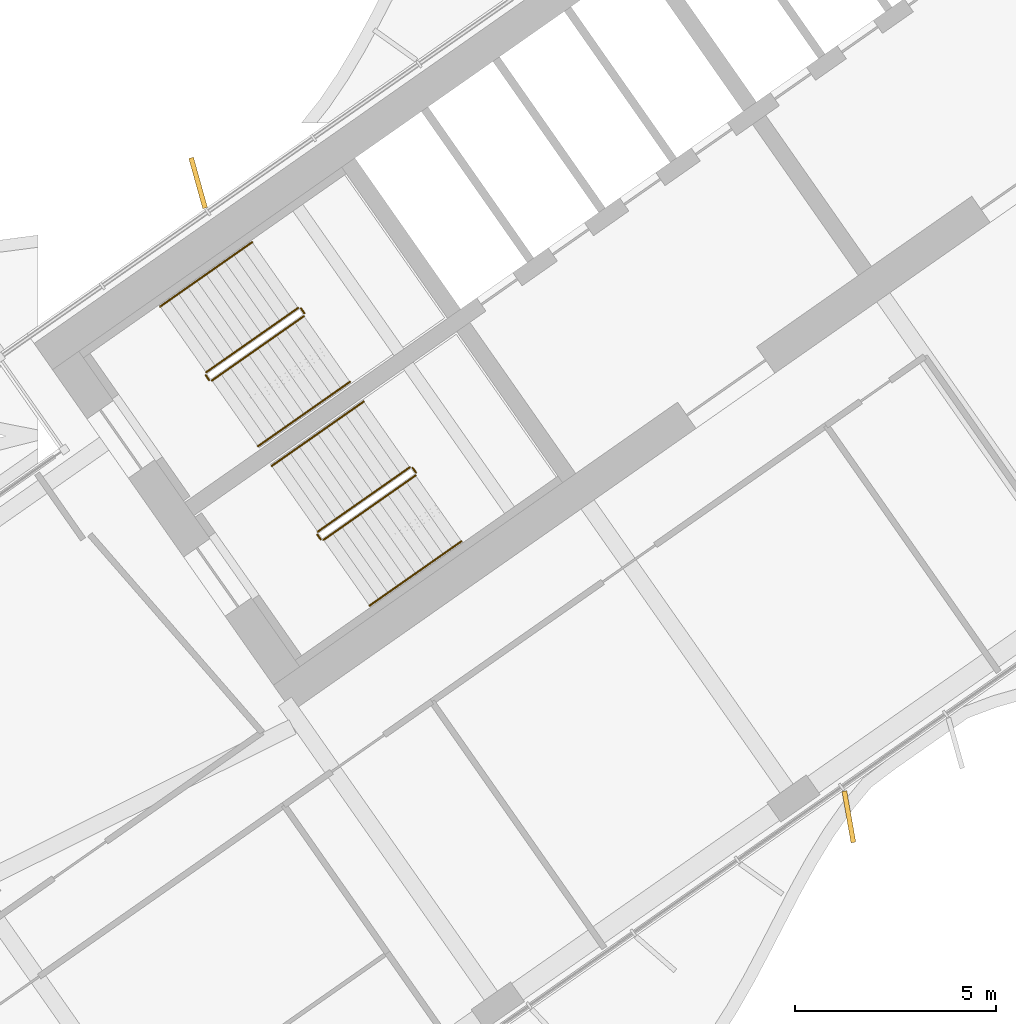
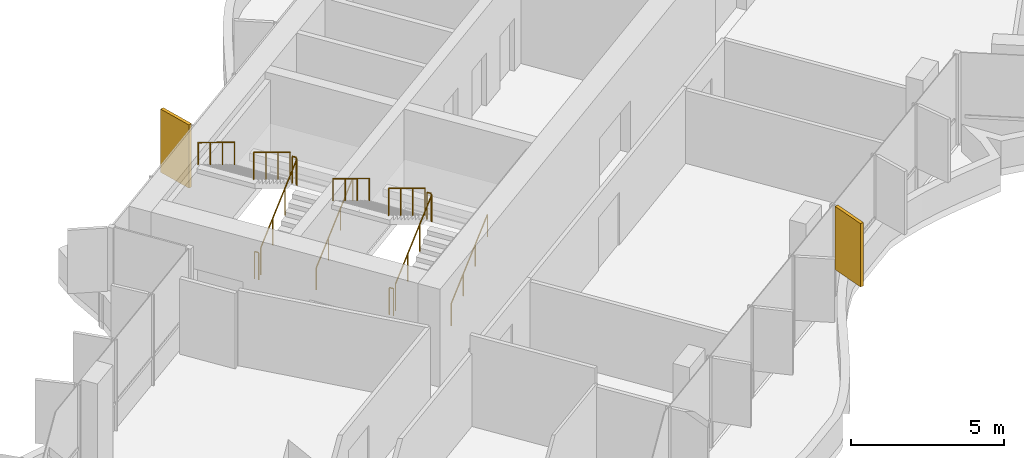
# One storey, part 18 of 21: 12 railings, 2 shading devices.
"""IFC4 building model written with IfcOpenShell, lengths in metres."""

from ifc_helpers import new_model, si_unit, direction, frame, origin, origin_2d, place, context, subcontext, project, spatial, rectangle, circle, extrude, material, layer, layer_set, type_object, element, save


model = new_model("IFC4")

# Units and contexts
model_context = context("Model", 3, precision=1e-05, world=origin(), true_north=direction((0.0, 1.0)))
body_context = subcontext(model_context, "Body", "Model", "MODEL_VIEW")
ifc_project = project(units=[si_unit("LENGTHUNIT", "METRE"), si_unit("AREAUNIT", "SQUARE_METRE"), si_unit("VOLUMEUNIT", "CUBIC_METRE"), si_unit("PLANEANGLEUNIT", "RADIAN"), si_unit("MASSUNIT", "GRAM", prefix="KILO")], contexts=[model_context])

# Site, building, storey
site_placement = place(None, origin())
site = spatial("IfcSite", under=ifc_project, at=site_placement, CompositionType="ELEMENT")
building_placement = place(site_placement, origin())
building = spatial("IfcBuilding", under=site, at=building_placement, Name="Tel Ilan Convention Tower", CompositionType="ELEMENT")
storey_placement = place(building_placement, frame((0.0, 0.0, 155.39990234375)))
storey = spatial("IfcBuildingStorey", under=building, at=storey_placement, Name="L35", CompositionType="ELEMENT", Elevation=155.39990234375)

# Shading devices
ifc_material_1 = material(Name="Aluminium, bronze anodised", Category="aluminium")
ifc_layer = layer(ifc_material_1, 0.1201171875)
ifc_layer_set = layer_set([ifc_layer], Name="FIN BRONZE 1300x120")
shading_device_type = type_object("IfcShadingDeviceType", Name="FIN BRONZE 1300x120", PredefinedType="USERDEFINED", material=ifc_layer_set)
for number, where, z_axis, x_axis, name in (
    (1, (-23.879150390625, -3.130126953125, 1.10009765625), (0.0, 0.0, 1.0), (-0.268172612768, 0.963370878614, 0.0), "FIN"),
    (2, (-7.657958984375, -18.929931640625, 1.10009765625), (0.0, 0.0, 1.0), (0.173648177667, -0.984807753012, 0.0), "FIN"),
):
    element("IfcShadingDevice", number, at=place(storey_placement, frame(where, z_axis=z_axis, x_axis=x_axis)), inside=storey, type_object=shading_device_type, Name=name, ObjectType="FIN", PredefinedType="USERDEFINED", context=body_context, shape_type="SweptSolid", body=[
        extrude(rectangle(XDim=1.300048828125, YDim=0.1201171875, at=origin_2d()), origin(), (0.0, 0.0, 1.0), 2.52001953125),
    ])

# Railings
ifc_material_2 = material(Name="Stainless Steel Grade 316", Category="steel")
railing_type_1 = type_object("IfcRailingType", Name="Stainless Steel Stair Guard 1100 mm", PredefinedType="GUARDRAIL", material=ifc_material_2)
railing_1_placement = place(storey_placement, frame((-23.535400390625, -8.056396484375, 0.177490234375)))
element("IfcRailing", 3, at=railing_1_placement, inside=storey, type_object=railing_type_1, Name="L35 S1 stair guard 1", PredefinedType="GUARDRAIL", context=body_context, shape_type="SweptSolid", body=[
    extrude(circle(Radius=0.02392578125, at=origin_2d()), frame((0.0, 0.0, 1.076171875), z_axis=(0.692098378994, 0.484653031975, 0.534893701956), x_axis=(-0.573608623498, 0.819129505664, 0.0)), (0.0, 0.0, 1.0), 3.314208984375),
    extrude(circle(Radius=0.02099609375, at=origin_2d()), origin(), (0.0, 0.0, 1.0), 1.052001953125),
    extrude(circle(Radius=0.02099609375, at=origin_2d()), frame((0.7646484375, 0.535400390625, 0.5908203125)), (0.0, 0.0, 1.0), 1.052001953125),
    extrude(circle(Radius=0.02099609375, at=origin_2d()), frame((1.529052734375, 1.07080078125, 1.181884765625)), (0.0, 0.0, 1.0), 1.052001953125),
    extrude(circle(Radius=0.02099609375, at=origin_2d()), frame((2.293701171875, 1.606201171875, 1.772705078125)), (0.0, 0.0, 1.0), 1.052001953125),
])
railing_2_placement = place(storey_placement, frame((-21.2294921875, -6.380615234375, 1.9501953125)))
element("IfcRailing", 4, at=railing_2_placement, inside=storey, type_object=railing_type_1, Name="L35 S1 stair guard 2", PredefinedType="GUARDRAIL", context=body_context, shape_type="SweptSolid", body=[
    extrude(circle(Radius=0.02392578125, at=origin_2d()), frame((0.0, 0.0, 1.076171875), z_axis=(-0.573353020881, 0.819308436089, 0.0), x_axis=(-0.819308436089, -0.573353020881, 0.0)), (0.0, 0.0, 1.0), 0.14990234375),
    extrude(circle(Radius=0.02099609375, at=origin_2d()), origin(), (0.0, 0.0, 1.0), 1.052001953125),
    extrude(circle(Radius=0.02099609375, at=origin_2d()), frame((-0.0859375, 0.122802734375, 0.0)), (0.0, 0.0, 1.0), 1.052001953125),
])
railing_3_placement = place(storey_placement, frame((-21.38525390625, -6.24560546875, 2.12744140625)))
element("IfcRailing", 5, at=railing_3_placement, inside=storey, type_object=railing_type_1, Name="L35 S1 stair guard 3", PredefinedType="GUARDRAIL", context=body_context, shape_type="SweptSolid", body=[
    extrude(circle(Radius=0.02392578125, at=origin_2d()), frame((0.0, 0.0, 1.076171875), z_axis=(-0.692084706163, -0.484621375041, 0.534940073605), x_axis=(0.573591086599, -0.819141785879, 0.0)), (0.0, 0.0, 1.0), 3.313720703125),
    extrude(circle(Radius=0.02099609375, at=origin_2d()), origin(), (0.0, 0.0, 1.0), 1.052001953125),
    extrude(circle(Radius=0.02099609375, at=origin_2d()), frame((-0.764404296875, -0.535400390625, 0.5908203125)), (0.0, 0.0, 1.0), 1.052001953125),
    extrude(circle(Radius=0.02099609375, at=origin_2d()), frame((-1.529052734375, -1.070556640625, 1.181884765625)), (0.0, 0.0, 1.0), 1.052001953125),
    extrude(circle(Radius=0.02099609375, at=origin_2d()), frame((-2.29345703125, -1.60595703125, 1.772705078125)), (0.0, 0.0, 1.0), 1.052001953125),
])
railing_4_placement = place(storey_placement, frame((-23.60498046875, -8.0439453125, 0.0)))
element("IfcRailing", 6, at=railing_4_placement, inside=storey, type_object=railing_type_1, Name="L35 S1 stair guard 4", PredefinedType="GUARDRAIL", context=body_context, shape_type="SweptSolid", body=[
    extrude(circle(Radius=0.02392578125, at=origin_2d()), frame((0.0, 0.0, 1.076171875), z_axis=(-0.574444878118, 0.818543268254, 0.0), x_axis=(-0.818543268254, -0.574444878118, 0.0)), (0.0, 0.0, 1.0), 0.150146484375),
    extrude(circle(Radius=0.02099609375, at=origin_2d()), origin(), (0.0, 0.0, 1.0), 1.052001953125),
    extrude(circle(Radius=0.02099609375, at=origin_2d()), frame((-0.086181640625, 0.122802734375, 0.0)), (0.0, 0.0, 1.0), 1.052001953125),
])
railing_5_placement = place(storey_placement, frame((-20.753662109375, -12.029296875, 0.177490234375)))
element("IfcRailing", 7, at=railing_5_placement, inside=storey, type_object=railing_type_1, Name="L35 S2 stair guard 1", PredefinedType="GUARDRAIL", context=body_context, shape_type="SweptSolid", body=[
    extrude(circle(Radius=0.02392578125, at=origin_2d()), frame((0.0, 0.0, 1.076171875), z_axis=(0.692098378994, 0.484653031975, 0.534893701956), x_axis=(-0.573608623498, 0.819129505664, 0.0)), (0.0, 0.0, 1.0), 3.314208984375),
    extrude(circle(Radius=0.02099609375, at=origin_2d()), origin(), (0.0, 0.0, 1.0), 1.052001953125),
    extrude(circle(Radius=0.02099609375, at=origin_2d()), frame((0.7646484375, 0.535400390625, 0.5908203125)), (0.0, 0.0, 1.0), 1.052001953125),
    extrude(circle(Radius=0.02099609375, at=origin_2d()), frame((1.529052734375, 1.07080078125, 1.181884765625)), (0.0, 0.0, 1.0), 1.052001953125),
    extrude(circle(Radius=0.02099609375, at=origin_2d()), frame((2.293701171875, 1.606201171875, 1.772705078125)), (0.0, 0.0, 1.0), 1.052001953125),
])
railing_6_placement = place(storey_placement, frame((-18.44775390625, -10.353515625, 1.9501953125)))
element("IfcRailing", 8, at=railing_6_placement, inside=storey, type_object=railing_type_1, Name="L35 S2 stair guard 2", PredefinedType="GUARDRAIL", context=body_context, shape_type="SweptSolid", body=[
    extrude(circle(Radius=0.02392578125, at=origin_2d()), frame((0.0, 0.0, 1.076171875), z_axis=(-0.573353020881, 0.819308436089, 0.0), x_axis=(-0.819308436089, -0.573353020881, 0.0)), (0.0, 0.0, 1.0), 0.14990234375),
    extrude(circle(Radius=0.02099609375, at=origin_2d()), origin(), (0.0, 0.0, 1.0), 1.052001953125),
    extrude(circle(Radius=0.02099609375, at=origin_2d()), frame((-0.0859375, 0.122802734375, 0.0)), (0.0, 0.0, 1.0), 1.052001953125),
])
railing_7_placement = place(storey_placement, frame((-18.603271484375, -10.218505859375, 2.12744140625)))
element("IfcRailing", 9, at=railing_7_placement, inside=storey, type_object=railing_type_1, Name="L35 S2 stair guard 3", PredefinedType="GUARDRAIL", context=body_context, shape_type="SweptSolid", body=[
    extrude(circle(Radius=0.02392578125, at=origin_2d()), frame((0.0, 0.0, 1.076171875), z_axis=(-0.692123088272, -0.484596665743, 0.534912798717), x_axis=(0.573550118428, -0.819170471667, 0.0)), (0.0, 0.0, 1.0), 3.31396484375),
    extrude(circle(Radius=0.02099609375, at=origin_2d()), origin(), (0.0, 0.0, 1.0), 1.052001953125),
    extrude(circle(Radius=0.02099609375, at=origin_2d()), frame((-0.7646484375, -0.535400390625, 0.5908203125)), (0.0, 0.0, 1.0), 1.052001953125),
    extrude(circle(Radius=0.02099609375, at=origin_2d()), frame((-1.529052734375, -1.070556640625, 1.181884765625)), (0.0, 0.0, 1.0), 1.052001953125),
    extrude(circle(Radius=0.02099609375, at=origin_2d()), frame((-2.293701171875, -1.60595703125, 1.772705078125)), (0.0, 0.0, 1.0), 1.052001953125),
])
railing_8_placement = place(storey_placement, frame((-20.8232421875, -12.016845703125, 0.0)))
element("IfcRailing", 10, at=railing_8_placement, inside=storey, type_object=railing_type_1, Name="L35 S2 stair guard 4", PredefinedType="GUARDRAIL", context=body_context, shape_type="SweptSolid", body=[
    extrude(circle(Radius=0.02392578125, at=origin_2d()), frame((0.0, 0.0, 1.076171875), z_axis=(-0.573353020881, 0.819308436089, 0.0), x_axis=(-0.819308436089, -0.573353020881, 0.0)), (0.0, 0.0, 1.0), 0.14990234375),
    extrude(circle(Radius=0.02099609375, at=origin_2d()), origin(), (0.0, 0.0, 1.0), 1.052001953125),
    extrude(circle(Radius=0.02099609375, at=origin_2d()), frame((-0.0859375, 0.122802734375, 0.0)), (0.0, 0.0, 1.0), 1.052001953125),
])
ifc_material_3 = material(Name="Stainless Steel Grade 316", Category="steel")
railing_type_2 = type_object("IfcRailingType", Name="Stainless Steel Stair Handrail 900 mm", PredefinedType="HANDRAIL", material=ifc_material_3)
railing_9_placement = place(storey_placement, frame((-22.38818359375, -9.694580078125, 0.177490234375)))
element("IfcRailing", 11, at=railing_9_placement, inside=storey, type_object=railing_type_2, Name="L35 S1 stair handrail 1", PredefinedType="HANDRAIL", context=body_context, shape_type="SweptSolid", body=[
    extrude(circle(Radius=0.02392578125, at=origin_2d()), frame((0.0, 0.0, 0.8759765625), z_axis=(0.692084706163, 0.484621375041, 0.534940073605), x_axis=(-0.573591086599, 0.819141785879, 0.0)), (0.0, 0.0, 1.0), 3.313720703125),
    extrude(circle(Radius=0.02099609375, at=origin_2d()), origin(), (0.0, 0.0, 1.0), 0.851806640625),
    extrude(circle(Radius=0.02099609375, at=origin_2d()), frame((0.764404296875, 0.535400390625, 0.5908203125)), (0.0, 0.0, 1.0), 0.851806640625),
    extrude(circle(Radius=0.02099609375, at=origin_2d()), frame((1.529052734375, 1.070556640625, 1.181884765625)), (0.0, 0.0, 1.0), 0.851806640625),
    extrude(circle(Radius=0.02099609375, at=origin_2d()), frame((2.29345703125, 1.60595703125, 1.772705078125)), (0.0, 0.0, 1.0), 0.851806640625),
])
railing_10_placement = place(storey_placement, frame((-22.5322265625, -4.607177734375, 2.12744140625)))
element("IfcRailing", 12, at=railing_10_placement, inside=storey, type_object=railing_type_2, Name="L35 S1 stair handrail 2", PredefinedType="HANDRAIL", context=body_context, shape_type="SweptSolid", body=[
    extrude(circle(Radius=0.02392578125, at=origin_2d()), frame((0.0, 0.0, 0.8759765625), z_axis=(-0.692123088272, -0.484596665743, 0.534912798717), x_axis=(0.573550118428, -0.819170471667, 0.0)), (0.0, 0.0, 1.0), 3.31396484375),
    extrude(circle(Radius=0.02099609375, at=origin_2d()), origin(), (0.0, 0.0, 1.0), 0.851806640625),
    extrude(circle(Radius=0.02099609375, at=origin_2d()), frame((-0.7646484375, -0.535400390625, 0.5908203125)), (0.0, 0.0, 1.0), 0.851806640625),
    extrude(circle(Radius=0.02099609375, at=origin_2d()), frame((-1.529052734375, -1.070556640625, 1.181884765625)), (0.0, 0.0, 1.0), 0.851806640625),
    extrude(circle(Radius=0.02099609375, at=origin_2d()), frame((-2.293701171875, -1.60595703125, 1.772705078125)), (0.0, 0.0, 1.0), 0.851806640625),
])
railing_11_placement = place(storey_placement, frame((-19.6064453125, -13.66748046875, 0.177490234375)))
element("IfcRailing", 13, at=railing_11_placement, inside=storey, type_object=railing_type_2, Name="L35 S2 stair handrail 1", PredefinedType="HANDRAIL", context=body_context, shape_type="SweptSolid", body=[
    extrude(circle(Radius=0.02392578125, at=origin_2d()), frame((0.0, 0.0, 0.8759765625), z_axis=(0.692123088272, 0.484596665743, 0.534912798717), x_axis=(-0.573550118428, 0.819170471667, 0.0)), (0.0, 0.0, 1.0), 3.31396484375),
    extrude(circle(Radius=0.02099609375, at=origin_2d()), origin(), (0.0, 0.0, 1.0), 0.851806640625),
    extrude(circle(Radius=0.02099609375, at=origin_2d()), frame((0.7646484375, 0.535400390625, 0.5908203125)), (0.0, 0.0, 1.0), 0.851806640625),
    extrude(circle(Radius=0.02099609375, at=origin_2d()), frame((1.529052734375, 1.070556640625, 1.181884765625)), (0.0, 0.0, 1.0), 0.851806640625),
    extrude(circle(Radius=0.02099609375, at=origin_2d()), frame((2.293701171875, 1.60595703125, 1.772705078125)), (0.0, 0.0, 1.0), 0.851806640625),
])
railing_12_placement = place(storey_placement, frame((-19.75048828125, -8.580078125, 2.12744140625)))
element("IfcRailing", 14, at=railing_12_placement, inside=storey, type_object=railing_type_2, Name="L35 S2 stair handrail 2", PredefinedType="HANDRAIL", context=body_context, shape_type="SweptSolid", body=[
    extrude(circle(Radius=0.02392578125, at=origin_2d()), frame((0.0, 0.0, 0.8759765625), z_axis=(-0.692123088272, -0.484596665743, 0.534912798717), x_axis=(0.573550118428, -0.819170471667, 0.0)), (0.0, 0.0, 1.0), 3.31396484375),
    extrude(circle(Radius=0.02099609375, at=origin_2d()), origin(), (0.0, 0.0, 1.0), 0.851806640625),
    extrude(circle(Radius=0.02099609375, at=origin_2d()), frame((-0.7646484375, -0.535400390625, 0.5908203125)), (0.0, 0.0, 1.0), 0.851806640625),
    extrude(circle(Radius=0.02099609375, at=origin_2d()), frame((-1.529052734375, -1.070556640625, 1.181884765625)), (0.0, 0.0, 1.0), 0.851806640625),
    extrude(circle(Radius=0.02099609375, at=origin_2d()), frame((-2.293701171875, -1.60595703125, 1.772705078125)), (0.0, 0.0, 1.0), 0.851806640625),
])

save(model, "model.ifc")
